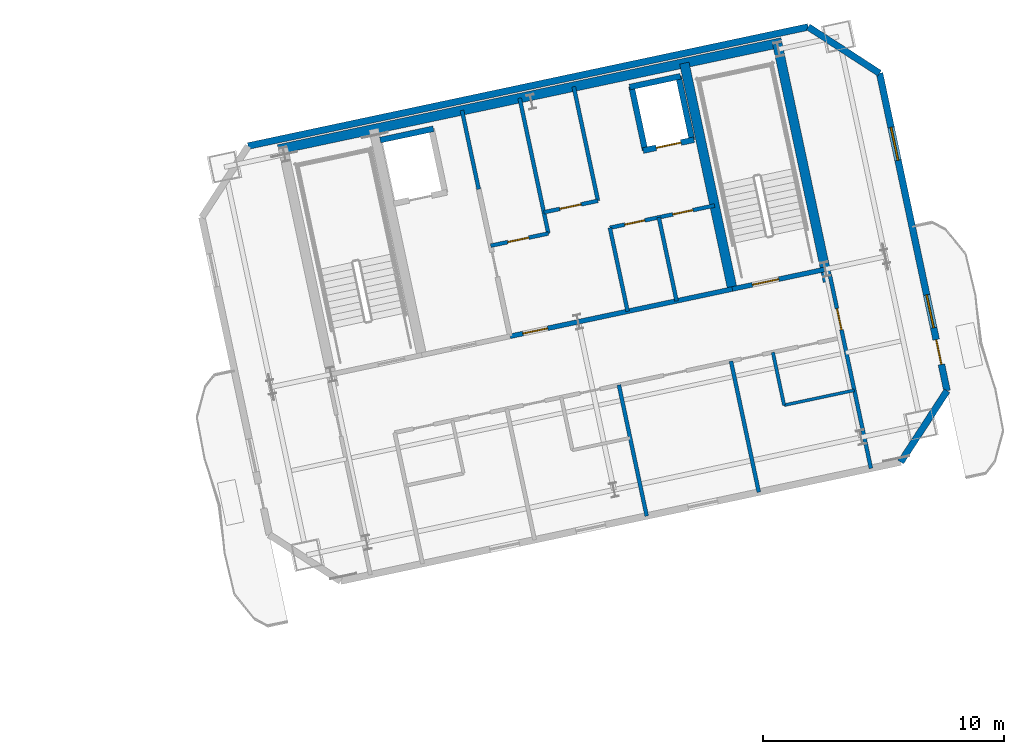
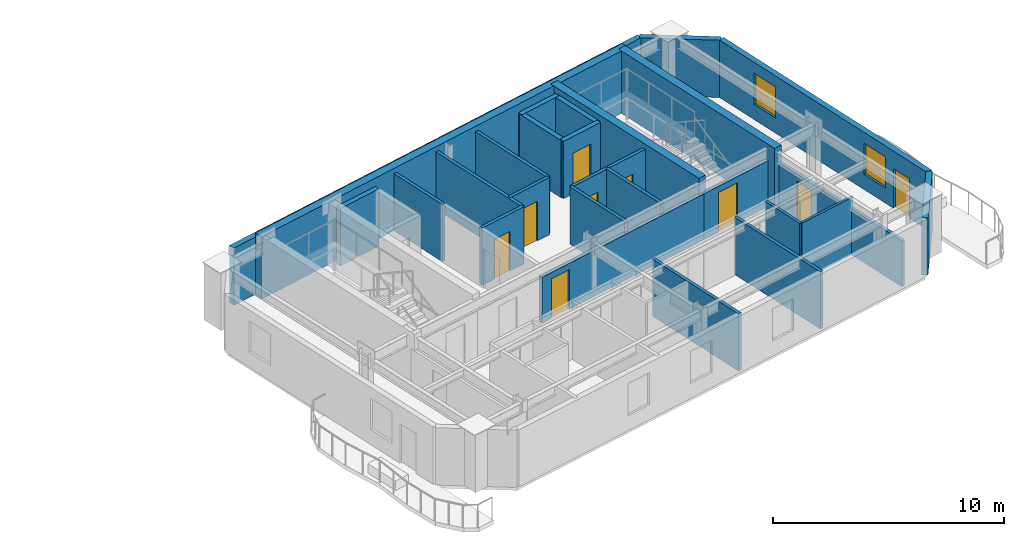
# One storey, part 9 of 14: 27 walls, 9 doors, 2 windows, 11 openings.
"""IFC4 building model written with IfcOpenShell, lengths in metres."""

from ifc_helpers import new_model, si_unit, direction, frame, frame_2d, origin, place, context, subcontext, project, spatial, rectangle, extrude, material, layer, layer_set, type_object, element, fill, save


model = new_model("IFC4")

# Units and contexts
model_context = context("Model", 3, precision=1e-05, world=origin(), true_north=direction((0.0, 1.0)))
body_context = subcontext(model_context, "Body", "Model", "MODEL_VIEW")
ifc_project = project(units=[si_unit("LENGTHUNIT", "METRE"), si_unit("AREAUNIT", "SQUARE_METRE"), si_unit("VOLUMEUNIT", "CUBIC_METRE"), si_unit("PLANEANGLEUNIT", "RADIAN"), si_unit("MASSUNIT", "GRAM", prefix="KILO")], contexts=[model_context])

# Site, building, storey
site_placement = place(None, origin())
site = spatial("IfcSite", under=ifc_project, at=site_placement, CompositionType="ELEMENT")
building_placement = place(site_placement, origin())
building = spatial("IfcBuilding", under=site, at=building_placement, Name="Haevon Station Towers", CompositionType="ELEMENT")
storey_placement = place(building_placement, frame((0.0, 0.0, 231.89990234375)))
storey = spatial("IfcBuildingStorey", under=building, at=storey_placement, Name="L64", CompositionType="ELEMENT", Elevation=231.89990234375)

# Wall, opening, door
ifc_material_1 = material(Name="Gypsum board on steel stud", Category="steel")
ifc_layer_1 = layer(ifc_material_1, 0.199951171875)
ifc_layer_set_1 = layer_set([ifc_layer_1], Name="Gypsum board on steel stud")
wall_type_1 = type_object("IfcWallType", Name="WL-COR200", PredefinedType="PARTITIONING", material=ifc_layer_set_1)
wall_1_placement = place(storey_placement, frame((115.4296875, 40.9873046875, 0.0), z_axis=(0.0, 0.0, 1.0), x_axis=(0.978146596989, 0.207916413008, 0.0)))
wall_1 = element("IfcWall", 1, at=wall_1_placement, inside=storey, type_object=wall_type_1, Name="WL-ST-ST4-L64", PredefinedType="PARTITIONING", context=body_context, shape_type="SweptSolid", body=[
    extrude(rectangle(XDim=3.9501953125, YDim=0.199951171875, at=frame_2d((1.97509765625, 0.0))), origin(), (0.0, 0.0, 1.0), 2.43017578125),
])
opening_1_placement = place(wall_1_placement, frame((0.85009765625, 0.0, 0.0)))
opening_1 = element("IfcOpeningElement", 2, at=opening_1_placement, cuts=wall_1, Name="Opening DR-ST-ST4-L64", PredefinedType="OPENING", context=body_context, shape_type="SweptSolid", body=[
    extrude(rectangle(XDim=1.1201171875, YDim=2.10009765625, at=frame_2d((0.56005859375, 1.050048828125))), frame((0.0, 0.10986328125, 0.0), z_axis=(0.0, -1.0, 0.0), x_axis=(1.0, 0.0, 0.0)), (0.0, 0.0, 1.0), 0.219970703125),
])
ifc_material_2 = material(Name="Engineered oak timber", Category="wood")
door_type_1 = type_object("IfcDoorType", Name="DR-ST-1120", OperationType="NOTDEFINED", PredefinedType="DOOR", material=ifc_material_2)
door_1_placement = place(opening_1_placement, origin())
door_1 = element("IfcDoor", 3, at=door_1_placement, inside=storey, type_object=door_type_1, Name="L64 Escape Stair ST4 Fire Door", OperationType="SINGLE_SWING_LEFT", OverallHeight=2.10009765625, OverallWidth=1.1201171875, PredefinedType="DOOR", context=body_context, shape_type="SweptSolid", body=[
    extrude(rectangle(XDim=1.1201171875, YDim=2.10009765625, at=frame_2d((0.56005859375, 1.050048828125))), frame((0.0, 0.02490234375, 0.0), z_axis=(0.0, -1.0, 0.0), x_axis=(1.0, 0.0, 0.0)), (0.0, 0.0, 1.0), 0.050048828125),
])
fill(opening_1, door_1)

wall_2_placement = place(storey_placement, frame((106.186279296875, 39.0224609375, 0.0), z_axis=(0.0, 0.0, 1.0), x_axis=(0.978145519981, 0.20792147975, 0.0)))
wall_2 = element("IfcWall", 4, at=wall_2_placement, inside=storey, type_object=wall_type_1, Name="WL-T2CLB-L64", PredefinedType="PARTITIONING", context=body_context, shape_type="SweptSolid", body=[
    extrude(rectangle(XDim=9.449951171875, YDim=0.199951171875, at=frame_2d((4.72509765625, 0.0))), origin(), (0.0, 0.0, 1.0), 2.43017578125),
])
opening_2_placement = place(wall_2_placement, frame((0.550048828125, 0.0, 0.0)))
opening_2 = element("IfcOpeningElement", 5, at=opening_2_placement, cuts=wall_2, Name="Opening DR-T2CLB-L64-1", PredefinedType="OPENING", context=body_context, shape_type="SweptSolid", body=[
    extrude(rectangle(XDim=1.050048828125, YDim=2.10009765625, at=frame_2d((0.52490234375, 1.050048828125))), frame((0.0, 0.10986328125, 0.0), z_axis=(0.0, -1.0, 0.0), x_axis=(1.0, 0.0, 0.0)), (0.0, 0.0, 1.0), 0.219970703125),
])
door_type_2 = type_object("IfcDoorType", Name="DR-FD60-1050", OperationType="NOTDEFINED", PredefinedType="DOOR", material=ifc_material_2)
door_2_placement = place(opening_2_placement, origin())
door_2 = element("IfcDoor", 6, at=door_2_placement, inside=storey, type_object=door_type_2, Name="L64 Tower 2 Core Lift Lobby Door 1", OperationType="SINGLE_SWING_RIGHT", OverallHeight=2.10009765625, OverallWidth=1.050048828125, PredefinedType="DOOR", context=body_context, shape_type="SweptSolid", body=[
    extrude(rectangle(XDim=1.050048828125, YDim=2.10009765625, at=frame_2d((0.52490234375, 1.050048828125))), frame((0.0, 0.02490234375, 0.0), z_axis=(0.0, -1.0, 0.0), x_axis=(1.0, 0.0, 0.0)), (0.0, 0.0, 1.0), 0.050048828125),
])
fill(opening_2, door_2)

# Walls
ifc_material_3 = material(Name="Concrete C60/75", Category="concrete")
ifc_layer_2 = layer(ifc_material_3, 0.39990234375)
ifc_layer_set_2 = layer_set([ifc_layer_2], Name="Concrete C60/75")
wall_type_2 = type_object("IfcWallType", Name="WL-CR400", PredefinedType="SHEAR", material=ifc_layer_set_2)
wall_3_placement = place(storey_placement, frame((96.560791015625, 46.791015625, 0.0), z_axis=(0.0, 0.0, 1.0), x_axis=(0.978148498705, 0.207907466152, 0.0)))
element("IfcWall", 7, at=wall_3_placement, inside=storey, type_object=wall_type_2, Name="WL-T2CR-L64-N", PredefinedType="SHEAR", context=body_context, shape_type="SweptSolid", body=[
    extrude(rectangle(XDim=21.39990234375, YDim=0.39990234375, at=frame_2d((10.699951171875, 0.0))), origin(), (0.0, 0.0, 1.0), 3.300048828125),
])
wall_4_placement = place(storey_placement, frame((119.401611328125, 41.2998046875, 0.0), z_axis=(0.0, 0.0, 1.0), x_axis=(-0.207904342798, 0.978149162575, 0.0)))
element("IfcWall", 8, at=wall_4_placement, inside=storey, type_object=wall_type_2, Name="WL-T2CR-L64-E", PredefinedType="SHEAR", context=body_context, shape_type="SweptSolid", body=[
    extrude(rectangle(XDim=10.1201171875, YDim=0.39990234375, at=frame_2d((5.06005859375, 0.0))), origin(), (0.0, 0.0, 1.0), 3.300048828125),
])
wall_5_placement = place(storey_placement, frame((115.4296875, 40.9873046875, 0.0), z_axis=(0.0, 0.0, 1.0), x_axis=(-0.207903162969, 0.978149413345, 0.0)))
element("IfcWall", 9, at=wall_5_placement, inside=storey, type_object=wall_type_2, Name="WL-T2CR-L64-M2", PredefinedType="SHEAR", context=body_context, shape_type="SweptSolid", body=[
    extrude(rectangle(XDim=9.599853515625, YDim=0.39990234375, at=frame_2d((4.7998046875, 0.0))), origin(), (0.0, 0.0, 1.0), 3.300048828125),
])
ifc_material_4 = material(Name="Precast concrete C45/55", Category="concrete")
ifc_layer_3 = layer(ifc_material_4, 0.280029296875)
ifc_layer_set_3 = layer_set([ifc_layer_3], Name="Precast concrete C45/55")
wall_type_3 = type_object("IfcWallType", Name="WL-EXT-PIER280", PredefinedType="SOLIDWALL", material=ifc_layer_set_3)
wall_6_placement = place(storey_placement, frame((95.3037109375, 46.932861328125, 0.0), z_axis=(0.0, 0.0, 1.0), x_axis=(0.978148291113, 0.207908442811, 0.0)))
element("IfcWall", 10, at=wall_6_placement, inside=storey, type_object=wall_type_3, Name="WL-T2-L64-N", PredefinedType="SOLIDWALL", context=body_context, shape_type="SweptSolid", body=[
    extrude(rectangle(XDim=23.800048828125, YDim=0.280029296875, at=frame_2d((11.89990234375, 0.0))), origin(), (0.0, 0.0, 1.0), 3.030029296875),
])
wall_7_placement = place(storey_placement, frame((118.583740234375, 51.881103515625, 0.0), z_axis=(0.0, 0.0, 1.0), x_axis=(0.838672309694, -0.544636352948, 0.0)))
element("IfcWall", 11, at=wall_7_placement, inside=storey, type_object=wall_type_3, Name="WL-T2-L64-NEC", PredefinedType="SOLIDWALL", context=body_context, shape_type="SweptSolid", body=[
    extrude(rectangle(XDim=3.535400390625, YDim=0.280029296875, at=frame_2d((1.767578125, 0.0))), origin(), (0.0, 0.0, 1.0), 3.030029296875),
])

# Wall, openings, door, windows
wall_8_placement = place(storey_placement, frame((121.548828125, 49.95556640625, 0.0), z_axis=(0.0, 0.0, 1.0), x_axis=(0.207907239961, -0.978148546782, 0.0)))
wall_8 = element("IfcWall", 12, at=wall_8_placement, inside=storey, type_object=wall_type_3, Name="WL-T2-L64-E", PredefinedType="SOLIDWALL", context=body_context, shape_type="SweptSolid", body=[
    extrude(rectangle(XDim=13.489990234375, YDim=0.280029296875, at=frame_2d((6.7451171875, 0.0))), origin(), (0.0, 0.0, 1.0), 3.030029296875),
])
opening_3_placement = place(wall_8_placement, frame((11.320068359375, 0.0, 0.0)))
opening_3 = element("IfcOpeningElement", 13, at=opening_3_placement, cuts=wall_8, Name="Opening DR-T2-SCAL-L64-E", PredefinedType="OPENING", context=body_context, shape_type="SweptSolid", body=[
    extrude(rectangle(XDim=1.050048828125, YDim=2.10009765625, at=frame_2d((0.52490234375, 1.050048828125))), frame((0.0, 0.14990234375, 0.0), z_axis=(0.0, -1.0, 0.0), x_axis=(1.0, 0.0, 0.0)), (0.0, 0.0, 1.0), 0.300048828125),
])
opening_4_placement = place(wall_8_placement, frame((2.298583984375, 0.0, 0.800048828125)))
opening_4 = element("IfcOpeningElement", 14, at=opening_4_placement, cuts=wall_8, Name="Opening WN-END140", PredefinedType="OPENING", context=body_context, shape_type="SweptSolid", body=[
    extrude(rectangle(XDim=1.39990234375, YDim=1.64990234375, at=frame_2d((0.699951171875, 0.824951171875))), frame((0.0, 0.14990234375, 0.0), z_axis=(0.0, -1.0, 0.0), x_axis=(1.0, 0.0, 0.0)), (0.0, 0.0, 1.0), 0.300048828125),
])
opening_5_placement = place(wall_8_placement, frame((9.416748046875, 0.0, 0.800048828125)))
opening_5 = element("IfcOpeningElement", 15, at=opening_5_placement, cuts=wall_8, Name="Opening WN-END140", PredefinedType="OPENING", context=body_context, shape_type="SweptSolid", body=[
    extrude(rectangle(XDim=1.39990234375, YDim=1.64990234375, at=frame_2d((0.699951171875, 0.824951171875))), frame((0.0, 0.14990234375, 0.0), z_axis=(0.0, -1.0, 0.0), x_axis=(1.0, 0.0, 0.0)), (0.0, 0.0, 1.0), 0.300048828125),
])
ifc_material_5 = material(Name="Thermally broken anodised aluminium and laminated safety glass", Category="aluminium")
door_type_3 = type_object("IfcDoorType", Name="DR-BALC-1050", OperationType="NOTDEFINED", PredefinedType="DOOR", material=ifc_material_5)
door_3_placement = place(opening_3_placement, origin())
door_3 = element("IfcDoor", 16, at=door_3_placement, inside=storey, type_object=door_type_3, Name="Tower 2 L64 East Scalloped Balcony Door", OperationType="SINGLE_SWING_RIGHT", OverallHeight=2.10009765625, OverallWidth=1.050048828125, PredefinedType="DOOR", context=body_context, shape_type="SweptSolid", body=[
    extrude(rectangle(XDim=1.050048828125, YDim=2.10009765625, at=frame_2d((0.52490234375, 1.050048828125))), frame((0.0, 0.02490234375, 0.0), z_axis=(0.0, -1.0, 0.0), x_axis=(1.0, 0.0, 0.0)), (0.0, 0.0, 1.0), 0.050048828125),
])
fill(opening_3, door_3)
ifc_material_6 = material(Name="Low-E triple glazing in thermally broken aluminium", Category="aluminium")
window_type = type_object("IfcWindowType", Name="WN-END140", PartitioningType="SINGLE_PANEL", PredefinedType="WINDOW", material=ifc_material_6)
window_1_placement = place(opening_4_placement, origin())
window_1 = element("IfcWindow", 17, at=window_1_placement, inside=storey, type_object=window_type, Name="WN-T2-L64-E01", OverallHeight=1.64990234375, OverallWidth=1.39990234375, PartitioningType="SINGLE_PANEL", PredefinedType="WINDOW", context=body_context, shape_type="SweptSolid", body=[
    extrude(rectangle(XDim=1.39990234375, YDim=1.64990234375, at=frame_2d((0.699951171875, 0.824951171875))), frame((0.0, 0.030029296875, 0.0), z_axis=(0.0, -1.0, 0.0), x_axis=(1.0, 0.0, 0.0)), (0.0, 0.0, 1.0), 0.06005859375),
])
fill(opening_4, window_1)
window_2_placement = place(opening_5_placement, origin())
window_2 = element("IfcWindow", 18, at=window_2_placement, inside=storey, type_object=window_type, Name="WN-T2-L64-E02", OverallHeight=1.64990234375, OverallWidth=1.39990234375, PartitioningType="SINGLE_PANEL", PredefinedType="WINDOW", context=body_context, shape_type="SweptSolid", body=[
    extrude(rectangle(XDim=1.39990234375, YDim=1.64990234375, at=frame_2d((0.699951171875, 0.824951171875))), frame((0.0, 0.030029296875, 0.0), z_axis=(0.0, -1.0, 0.0), x_axis=(1.0, 0.0, 0.0)), (0.0, 0.0, 1.0), 0.06005859375),
])
fill(opening_5, window_2)

# Walls
wall_9_placement = place(storey_placement, frame((124.353515625, 36.76025390625, 0.0), z_axis=(0.0, 0.0, 1.0), x_axis=(-0.544636352948, -0.838672309694, 0.0)))
element("IfcWall", 19, at=wall_9_placement, inside=storey, type_object=wall_type_3, Name="WL-T2-L64-SEC", PredefinedType="SOLIDWALL", context=body_context, shape_type="SweptSolid", body=[
    extrude(rectangle(XDim=3.535400390625, YDim=0.280029296875, at=frame_2d((1.767578125, 0.0))), origin(), (0.0, 0.0, 1.0), 3.030029296875),
])
ifc_layer_4 = layer(ifc_material_1, 0.125)
ifc_layer_set_4 = layer_set([ifc_layer_4], Name="Gypsum board on steel stud")
wall_type_4 = type_object("IfcWallType", Name="WL-PRT125", PredefinedType="PARTITIONING", material=ifc_layer_set_4)
wall_10_placement = place(storey_placement, frame((117.581787109375, 36.1591796875, 0.0), z_axis=(0.0, 0.0, 1.0), x_axis=(0.978149492512, 0.207902790504, 0.0)))
element("IfcWall", 20, at=wall_10_placement, inside=storey, type_object=wall_type_4, Name="WL-T2PT-L64-11", PredefinedType="PARTITIONING", context=body_context, shape_type="SweptSolid", body=[
    extrude(rectangle(XDim=2.98388671875, YDim=0.125, at=frame_2d((1.491943359375, 0.0))), origin(), (0.0, 0.0, 1.0), 3.030029296875),
])
ifc_layer_5 = layer(ifc_material_1, 0.139892578125)
ifc_layer_set_5 = layer_set([ifc_layer_5], Name="Gypsum board on steel stud")
wall_type_5 = type_object("IfcWallType", Name="WL-PRT140", PredefinedType="PARTITIONING", material=ifc_layer_set_5)
wall_11_placement = place(storey_placement, frame((117.581787109375, 36.1591796875, 0.0), z_axis=(0.0, 0.0, 1.0), x_axis=(-0.207891197838, 0.978151956427, 0.0)))
element("IfcWall", 21, at=wall_11_placement, inside=storey, type_object=wall_type_5, Name="WL-T2PT-L64-12", PredefinedType="PARTITIONING", context=body_context, shape_type="SweptSolid", body=[
    extrude(rectangle(XDim=2.25, YDim=0.139892578125, at=frame_2d((1.125, 0.0))), origin(), (0.0, 0.0, 1.0), 3.030029296875),
])
ifc_layer_6 = layer(ifc_material_1, 0.159912109375)
ifc_layer_set_6 = layer_set([ifc_layer_6], Name="Gypsum board on steel stud")
wall_type_6 = type_object("IfcWallType", Name="WL-PRT160", PredefinedType="PARTITIONING", material=ifc_layer_set_6)
wall_12_placement = place(storey_placement, frame((104.88671875, 45.135986328125, 0.0), z_axis=(0.0, 0.0, 1.0), x_axis=(-0.207846553267, 0.978161443881, 0.0)))
element("IfcWall", 22, at=wall_12_placement, inside=storey, type_object=wall_type_6, Name="WL-T2CW-L64-01", PredefinedType="PARTITIONING", context=body_context, shape_type="SweptSolid", body=[
    extrude(rectangle(XDim=3.35009765625, YDim=0.159912109375, at=frame_2d((1.675048828125, 0.0))), origin(), (0.0, 0.0, 1.0), 3.030029296875),
])

# Wall, opening, door
wall_13_placement = place(storey_placement, frame((105.3857421875, 42.788330078125, 0.0), z_axis=(0.0, 0.0, 1.0), x_axis=(0.978136559131, 0.207963630695, 0.0)))
wall_13 = element("IfcWall", 23, at=wall_13_placement, inside=storey, type_object=wall_type_6, Name="WL-T2CW-L64-02", PredefinedType="PARTITIONING", context=body_context, shape_type="SweptSolid", body=[
    extrude(rectangle(XDim=2.449951171875, YDim=0.159912109375, at=frame_2d((1.22509765625, 0.0))), origin(), (0.0, 0.0, 1.0), 3.030029296875),
])
opening_6_placement = place(wall_13_placement, frame((0.719970703125, 0.0, 0.0)))
opening_6 = element("IfcOpeningElement", 24, at=opening_6_placement, cuts=wall_13, Name="Opening DR-WL-T2CW-L64-02-1", PredefinedType="OPENING", context=body_context, shape_type="SweptSolid", body=[
    extrude(rectangle(XDim=0.89990234375, YDim=2.10009765625, at=frame_2d((0.449951171875, 1.050048828125))), frame((0.0, 0.08984375, 0.0), z_axis=(0.0, -1.0, 0.0), x_axis=(1.0, 0.0, 0.0)), (0.0, 0.0, 1.0), 0.179931640625),
])
door_type_4 = type_object("IfcDoorType", Name="DR-FD60-900", OperationType="NOTDEFINED", PredefinedType="DOOR", material=ifc_material_2)
door_4_placement = place(opening_6_placement, origin())
door_4 = element("IfcDoor", 25, at=door_4_placement, inside=storey, type_object=door_type_4, Name="L64 Tower 2 Core Room Door 2-1", OperationType="SINGLE_SWING_RIGHT", OverallHeight=2.10009765625, OverallWidth=0.89990234375, PredefinedType="DOOR", context=body_context, shape_type="SweptSolid", body=[
    extrude(rectangle(XDim=0.89990234375, YDim=2.10009765625, at=frame_2d((0.449951171875, 1.050048828125))), frame((0.0, 0.02490234375, 0.0), z_axis=(0.0, -1.0, 0.0), x_axis=(1.0, 0.0, 0.0)), (0.0, 0.0, 1.0), 0.050048828125),
])
fill(opening_6, door_4)

# Wall
wall_14_placement = place(storey_placement, frame((107.7822265625, 43.2978515625, 0.0), z_axis=(0.0, 0.0, 1.0), x_axis=(-0.207925279174, 0.978144712341, 0.0)))
element("IfcWall", 26, at=wall_14_placement, inside=storey, type_object=wall_type_6, Name="WL-T2CW-L64-03", PredefinedType="PARTITIONING", context=body_context, shape_type="SweptSolid", body=[
    extrude(rectangle(XDim=5.75, YDim=0.159912109375, at=frame_2d((2.875, 0.0))), origin(), (0.0, 0.0, 1.0), 3.030029296875),
])

# Wall, opening, door
wall_15_placement = place(storey_placement, frame((107.59521484375, 44.17822265625, 0.0), z_axis=(0.0, 0.0, 1.0), x_axis=(0.978162897375, 0.207839712757, 0.0)))
wall_15 = element("IfcWall", 27, at=wall_15_placement, inside=storey, type_object=wall_type_6, Name="WL-T2CW-L64-04", PredefinedType="PARTITIONING", context=body_context, shape_type="SweptSolid", body=[
    extrude(rectangle(XDim=2.300048828125, YDim=0.159912109375, at=frame_2d((1.14990234375, 0.0))), origin(), (0.0, 0.0, 1.0), 3.030029296875),
])
opening_7_placement = place(wall_15_placement, frame((0.679931640625, 0.0, 0.0)))
opening_7 = element("IfcOpeningElement", 28, at=opening_7_placement, cuts=wall_15, Name="Opening DR-WL-T2CW-L64-04-1", PredefinedType="OPENING", context=body_context, shape_type="SweptSolid", body=[
    extrude(rectangle(XDim=0.89990234375, YDim=2.10009765625, at=frame_2d((0.449951171875, 1.050048828125))), frame((0.0, 0.08984375, 0.0), z_axis=(0.0, -1.0, 0.0), x_axis=(1.0, 0.0, 0.0)), (0.0, 0.0, 1.0), 0.179931640625),
])
door_5_placement = place(opening_7_placement, origin())
door_5 = element("IfcDoor", 29, at=door_5_placement, inside=storey, type_object=door_type_4, Name="L64 Tower 2 Core Room Door 4-1", OperationType="SINGLE_SWING_LEFT", OverallHeight=2.10009765625, OverallWidth=0.89990234375, PredefinedType="DOOR", context=body_context, shape_type="SweptSolid", body=[
    extrude(rectangle(XDim=0.89990234375, YDim=2.10009765625, at=frame_2d((0.449951171875, 1.050048828125))), frame((0.0, 0.02490234375, 0.0), z_axis=(0.0, -1.0, 0.0), x_axis=(1.0, 0.0, 0.0)), (0.0, 0.0, 1.0), 0.050048828125),
])
fill(opening_7, door_5)

# Walls
wall_16_placement = place(storey_placement, frame((109.844970703125, 44.65625, 0.0), z_axis=(0.0, 0.0, 1.0), x_axis=(-0.207940630195, 0.978141449032, 0.0)))
element("IfcWall", 30, at=wall_16_placement, inside=storey, type_object=wall_type_6, Name="WL-T2CW-L64-05", PredefinedType="PARTITIONING", context=body_context, shape_type="SweptSolid", body=[
    extrude(rectangle(XDim=4.85009765625, YDim=0.159912109375, at=frame_2d((2.425048828125, 0.0))), origin(), (0.0, 0.0, 1.0), 3.030029296875),
])
for number, where, z_axis, x_axis, name in (
    (31, (111.076904296875, 40.06201171875, 0.0), (0.0, 0.0, 1.0), (-0.207899058817, 0.978150285663, 0.0), "WL-T2CW-L64-06"),
    (32, (113.111572265625, 40.49462890625, 0.0), (0.0, 0.0, 1.0), (-0.207899058817, 0.978150285663, 0.0), "WL-T2CW-L64-07"),
):
    element("IfcWall", number, at=place(storey_placement, frame(where, z_axis=z_axis, x_axis=x_axis)), inside=storey, type_object=wall_type_6, Name=name, PredefinedType="PARTITIONING", context=body_context, shape_type="SweptSolid", body=[
        extrude(rectangle(XDim=3.550048828125, YDim=0.159912109375, at=frame_2d((1.77490234375, 0.0))), origin(), (0.0, 0.0, 1.0), 3.030029296875),
    ])

# Wall, openings, doors
wall_17_placement = place(storey_placement, frame((110.3388671875, 43.534423828125, 0.0), z_axis=(0.0, 0.0, 1.0), x_axis=(0.978143929138, 0.207928963567, 0.0)))
wall_17 = element("IfcWall", 33, at=wall_17_placement, inside=storey, type_object=wall_type_6, Name="WL-T2CW-L64-08", PredefinedType="PARTITIONING", context=body_context, shape_type="SweptSolid", body=[
    extrude(rectangle(XDim=4.449951171875, YDim=0.159912109375, at=frame_2d((2.22509765625, 0.0))), origin(), (0.0, 0.0, 1.0), 3.030029296875),
])
opening_8_placement = place(wall_17_placement, frame((0.635009765625, 0.0, 0.0)))
opening_8 = element("IfcOpeningElement", 34, at=opening_8_placement, cuts=wall_17, Name="Opening DR-WL-T2CW-L64-08-1", PredefinedType="OPENING", context=body_context, shape_type="SweptSolid", body=[
    extrude(rectangle(XDim=0.85009765625, YDim=2.050048828125, at=frame_2d((0.425048828125, 1.02490234375))), frame((0.0, 0.08984375, 0.0), z_axis=(0.0, -1.0, 0.0), x_axis=(1.0, 0.0, 0.0)), (0.0, 0.0, 1.0), 0.179931640625),
])
opening_9_placement = place(wall_17_placement, frame((2.679931640625, 0.0, 0.0)))
opening_9 = element("IfcOpeningElement", 35, at=opening_9_placement, cuts=wall_17, Name="Opening DR-WL-T2CW-L64-08-2", PredefinedType="OPENING", context=body_context, shape_type="SweptSolid", body=[
    extrude(rectangle(XDim=0.85009765625, YDim=2.050048828125, at=frame_2d((0.425048828125, 1.02490234375))), frame((0.0, 0.08984375, 0.0), z_axis=(0.0, -1.0, 0.0), x_axis=(1.0, 0.0, 0.0)), (0.0, 0.0, 1.0), 0.179931640625),
])
door_type_5 = type_object("IfcDoorType", Name="DR-FD30-850", OperationType="NOTDEFINED", PredefinedType="DOOR", material=ifc_material_2)
door_6_placement = place(opening_8_placement, origin())
door_6 = element("IfcDoor", 36, at=door_6_placement, inside=storey, type_object=door_type_5, Name="L64 Tower 2 Core Room Door 8-1", OperationType="SINGLE_SWING_RIGHT", OverallHeight=2.050048828125, OverallWidth=0.85009765625, PredefinedType="DOOR", context=body_context, shape_type="SweptSolid", body=[
    extrude(rectangle(XDim=0.85009765625, YDim=2.050048828125, at=frame_2d((0.425048828125, 1.02490234375))), frame((0.0, 0.02490234375, 0.0), z_axis=(0.0, -1.0, 0.0), x_axis=(1.0, 0.0, 0.0)), (0.0, 0.0, 1.0), 0.050048828125),
])
fill(opening_8, door_6)
door_7_placement = place(opening_9_placement, origin())
door_7 = element("IfcDoor", 37, at=door_7_placement, inside=storey, type_object=door_type_5, Name="L64 Tower 2 Core Room Door 8-2", OperationType="SINGLE_SWING_LEFT", OverallHeight=2.050048828125, OverallWidth=0.85009765625, PredefinedType="DOOR", context=body_context, shape_type="SweptSolid", body=[
    extrude(rectangle(XDim=0.85009765625, YDim=2.050048828125, at=frame_2d((0.425048828125, 1.02490234375))), frame((0.0, 0.02490234375, 0.0), z_axis=(0.0, -1.0, 0.0), x_axis=(1.0, 0.0, 0.0)), (0.0, 0.0, 1.0), 0.050048828125),
])
fill(opening_9, door_7)

# Wall, opening, door
wall_18_placement = place(storey_placement, frame((121.190673828125, 33.5322265625, 0.0), z_axis=(0.0, 0.0, 1.0), x_axis=(-0.207922572799, 0.978145287634, 0.0)))
wall_18 = element("IfcWall", 38, at=wall_18_placement, inside=storey, type_object=wall_type_6, Name="WL-T2PT-L64-03", PredefinedType="PARTITIONING", context=body_context, shape_type="SweptSolid", body=[
    extrude(rectangle(XDim=8.18994140625, YDim=0.159912109375, at=frame_2d((4.094970703125, 0.0))), origin(), (0.0, 0.0, 1.0), 2.43017578125),
])
opening_10_placement = place(wall_18_placement, frame((5.889892578125, 0.0, 0.0)))
opening_10 = element("IfcOpeningElement", 39, at=opening_10_placement, cuts=wall_18, Name="Opening DR-WL-T2PT-L64-03-01", PredefinedType="OPENING", context=body_context, shape_type="SweptSolid", body=[
    extrude(rectangle(XDim=0.89990234375, YDim=2.050048828125, at=frame_2d((0.449951171875, 1.02490234375))), frame((0.0, 0.08984375, 0.0), z_axis=(0.0, -1.0, 0.0), x_axis=(1.0, 0.0, 0.0)), (0.0, 0.0, 1.0), 0.179931640625),
])
door_type_6 = type_object("IfcDoorType", Name="DR-INT-900", OperationType="NOTDEFINED", PredefinedType="DOOR", material=ifc_material_2)
door_8_placement = place(opening_10_placement, origin())
door_8 = element("IfcDoor", 40, at=door_8_placement, inside=storey, type_object=door_type_6, Name="L64 Tower 2 Room Door 3-1", OperationType="SINGLE_SWING_LEFT", OverallHeight=2.050048828125, OverallWidth=0.89990234375, PredefinedType="DOOR", context=body_context, shape_type="SweptSolid", body=[
    extrude(rectangle(XDim=0.89990234375, YDim=2.050048828125, at=frame_2d((0.449951171875, 1.02490234375))), frame((0.0, 0.02490234375, 0.0), z_axis=(0.0, -1.0, 0.0), x_axis=(1.0, 0.0, 0.0)), (0.0, 0.0, 1.0), 0.050048828125),
])
fill(opening_10, door_8)

# Walls
wall_19_placement = place(storey_placement, frame((111.871337890625, 31.55126953125, 0.0), z_axis=(0.0, 0.0, 1.0), x_axis=(-0.207894403042, 0.978151275204, 0.0)))
element("IfcWall", 41, at=wall_19_placement, inside=storey, type_object=wall_type_6, Name="WL-T2PT-L64-09", PredefinedType="PARTITIONING", context=body_context, shape_type="SweptSolid", body=[
    extrude(rectangle(XDim=5.56982421875, YDim=0.159912109375, at=frame_2d((2.784912109375, 0.0))), origin(), (0.0, 0.0, 1.0), 3.030029296875),
])
wall_20_placement = place(storey_placement, frame((116.531005859375, 32.541748046875, 0.0), z_axis=(0.0, 0.0, 1.0), x_axis=(-0.207936339891, 0.978142361087, 0.0)))
element("IfcWall", 42, at=wall_20_placement, inside=storey, type_object=wall_type_6, Name="WL-T2PT-L64-10", PredefinedType="PARTITIONING", context=body_context, shape_type="SweptSolid", body=[
    extrude(rectangle(XDim=5.570068359375, YDim=0.159912109375, at=frame_2d((2.78515625, 0.0))), origin(), (0.0, 0.0, 1.0), 3.030029296875),
])
ifc_material_7 = material(Name="Concrete C40/50", Category="concrete")
ifc_layer_7 = layer(ifc_material_7, 0.239990234375)
ifc_layer_set_7 = layer_set([ifc_layer_7], Name="Concrete C40/50")
wall_type_7 = type_object("IfcWallType", Name="WL-SHF240", PredefinedType="PARTITIONING", material=ifc_layer_set_7)
wall_21_placement = place(storey_placement, frame((100.79248046875, 47.179443359375, 0.0), z_axis=(0.0, 0.0, 1.0), x_axis=(0.978162968872, 0.207839376268, 0.0)))
element("IfcWall", 43, at=wall_21_placement, inside=storey, type_object=wall_type_7, Name="WL-SHF-FL2-L64-N", PredefinedType="PARTITIONING", context=body_context, shape_type="SweptSolid", body=[
    extrude(rectangle(XDim=2.260009765625, YDim=0.239990234375, at=frame_2d((1.1298828125, 0.0))), origin(), (0.0, 0.0, 1.0), 3.030029296875),
])

# Wall, opening, door
wall_22_placement = place(storey_placement, frame((111.72216796875, 46.7421875, 0.0), z_axis=(0.0, 0.0, 1.0), x_axis=(0.97813528961, 0.207969601673, 0.0)))
wall_22 = element("IfcWall", 44, at=wall_22_placement, inside=storey, type_object=wall_type_7, Name="WL-SHF-PL10-L64", PredefinedType="PARTITIONING", context=body_context, shape_type="SweptSolid", body=[
    extrude(rectangle(XDim=2.159912109375, YDim=0.239990234375, at=frame_2d((1.080078125, 0.0))), origin(), (0.0, 0.0, 1.0), 3.030029296875),
])
opening_11_placement = place(wall_22_placement, frame((0.554931640625, 0.0, 0.0)))
opening_11 = element("IfcOpeningElement", 45, at=opening_11_placement, cuts=wall_22, Name="Opening LD-PL10-L64", PredefinedType="OPENING", context=body_context, shape_type="SweptSolid", body=[
    extrude(rectangle(XDim=1.050048828125, YDim=2.14990234375, at=frame_2d((0.52490234375, 1.074951171875))), frame((0.0, 0.1298828125, 0.0), z_axis=(0.0, -1.0, 0.0), x_axis=(1.0, 0.0, 0.0)), (0.0, 0.0, 1.0), 0.260009765625),
])
ifc_material_8 = material(Name="Stainless steel and rated core", Category="steel")
door_type_7 = type_object("IfcDoorType", Name="LD-PL1050", OperationType="SLIDING_TO_LEFT", PredefinedType="DOOR", material=ifc_material_8)
door_9_placement = place(opening_11_placement, origin())
door_9 = element("IfcDoor", 46, at=door_9_placement, inside=storey, type_object=door_type_7, Name="L64 Lift PL10 Sliding Landing Door", OperationType="SLIDING_TO_LEFT", OverallHeight=2.14990234375, OverallWidth=1.050048828125, PredefinedType="DOOR", context=body_context, shape_type="SweptSolid", body=[
    extrude(rectangle(XDim=1.050048828125, YDim=2.14990234375, at=frame_2d((0.52490234375, 1.074951171875))), frame((0.0, 0.02490234375, 0.0), z_axis=(0.0, -1.0, 0.0), x_axis=(1.0, 0.0, 0.0)), (0.0, 0.0, 1.0), 0.050048828125),
])
fill(opening_11, door_9)

# Walls
wall_23_placement = place(storey_placement, frame((111.160888671875, 49.38330078125, 0.0), z_axis=(0.0, 0.0, 1.0), x_axis=(0.978158276388, 0.207861459473, 0.0)))
element("IfcWall", 47, at=wall_23_placement, inside=storey, type_object=wall_type_7, Name="WL-SHF-PL10-L64-N", PredefinedType="PARTITIONING", context=body_context, shape_type="SweptSolid", body=[
    extrude(rectangle(XDim=2.159912109375, YDim=0.239990234375, at=frame_2d((1.080078125, 0.0))), origin(), (0.0, 0.0, 1.0), 3.030029296875),
])
for number, where, z_axis, x_axis, name in (
    (48, (111.800537109375, 46.7587890625, 0.0), (0.0, 0.0, 1.0), (-0.207960405185, 0.978137244908, 0.0), "WL-SHF-PL10-L64-W"),
    (49, (113.7568359375, 47.174560546875, 0.0), (0.0, 0.0, 1.0), (-0.207960405185, 0.978137244908, 0.0), "WL-SHF-PL10-L64-E"),
):
    element("IfcWall", number, at=place(storey_placement, frame(where, z_axis=z_axis, x_axis=x_axis)), inside=storey, type_object=wall_type_7, Name=name, PredefinedType="PARTITIONING", context=body_context, shape_type="SweptSolid", body=[
        extrude(rectangle(XDim=2.7001953125, YDim=0.239990234375, at=frame_2d((1.35009765625, 0.0))), origin(), (0.0, 0.0, 1.0), 3.030029296875),
    ])

save(model, "model.ifc")
